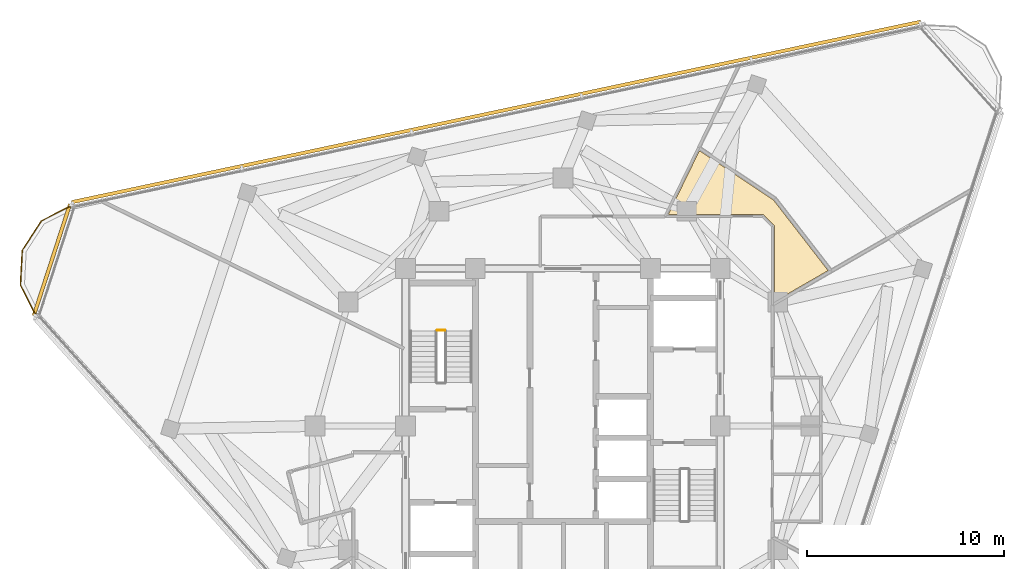
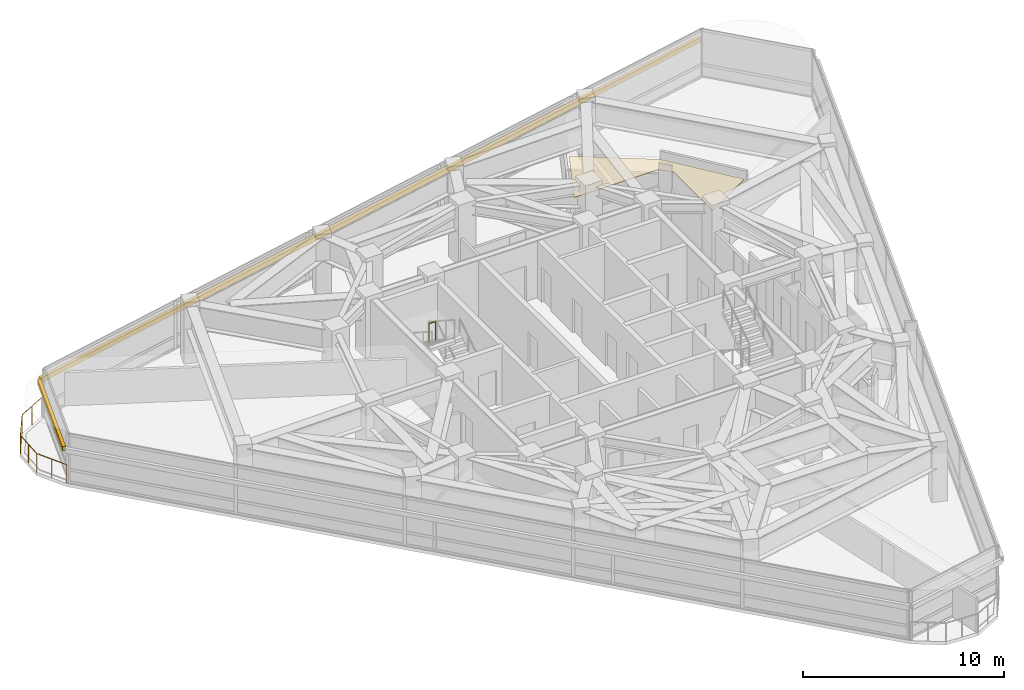
# One storey, part 14 of 15: 2 railings, 2 shading devices, 1 covering.
"""IFC4 building model written with IfcOpenShell, lengths in metres."""

from ifc_helpers import new_model, si_unit, direction, frame, origin, origin_2d, place, context, subcontext, project, spatial, polyline, rectangle, circle, outline, extrude, material, layer, layer_set, type_object, element, save


model = new_model("IFC4")

# Units and contexts
model_context = context("Model", 3, precision=1e-05, world=origin(), true_north=direction((0.0, 1.0)))
body_context = subcontext(model_context, "Body", "Model", "MODEL_VIEW")
ifc_project = project(units=[si_unit("LENGTHUNIT", "METRE"), si_unit("AREAUNIT", "SQUARE_METRE"), si_unit("VOLUMEUNIT", "CUBIC_METRE"), si_unit("PLANEANGLEUNIT", "RADIAN"), si_unit("MASSUNIT", "GRAM", prefix="KILO")], contexts=[model_context])

# Site, building, storey
site_placement = place(None, origin())
site = spatial("IfcSite", under=ifc_project, at=site_placement, CompositionType="ELEMENT")
building_placement = place(site_placement, origin())
building = spatial("IfcBuilding", under=site, at=building_placement, Name="Terralouvre Media Tower", CompositionType="ELEMENT")
storey_placement = place(building_placement, frame((0.0, 0.0, 309.10009765625)))
storey = spatial("IfcBuildingStorey", under=building, at=storey_placement, Name="L80", CompositionType="ELEMENT", Elevation=309.10009765625)

# Covering
ifc_material_1 = material(Name="Perforated aluminium acoustic ceiling baffle", Category="aluminium")
ifc_layer_1 = layer(ifc_material_1, 0.0400390625, Name="Perforated Acoustic Metal Tile Ceiling CL-AC1")
ifc_layer_set_1 = layer_set([ifc_layer_1], Name="Perforated aluminium acoustic ceiling baffle")
covering_type = type_object("IfcCoveringType", Name="Perforated Acoustic Metal Tile Ceiling CL-AC1", PredefinedType="CEILING", material=ifc_layer_set_1)
covering_placement = place(storey_placement, frame((0.0, 0.0, 2.919921875), z_axis=(0.0, 0.0, 1.0), x_axis=(0.309016994375, 0.951056516295, 0.0)))
element("IfcCovering", 1, at=covering_placement, inside=storey, type_object=covering_type, Name="L80 Artist Hospitality Kitchen 8 Acoustic Ceiling", PredefinedType="CEILING", context=body_context, shape_type="SweptSolid", body=[
    extrude(outline(polyline([(14.2275390625, -6.635009765625), (15.457275390625, -2.2734375), (11.87841796875, -1.77001953125), (13.3603515625, -6.331298828125), (13.363037109375, -6.3408203125), (13.364501953125, -6.350341796875), (13.365234375, -6.360107421875), (13.364990234375, -6.3701171875), (13.36376953125, -6.379638671875), (13.361572265625, -6.389404296875), (13.3583984375, -6.398681640625), (13.354248046875, -6.407470703125), (13.033447265625, -7.03759765625), (13.0283203125, -7.046142578125), (13.022705078125, -7.05419921875), (13.016357421875, -7.0615234375), (13.00927734375, -7.068359375), (13.00146484375, -7.07421875), (12.9931640625, -7.07958984375), (12.984375, -7.083740234375), (12.97509765625, -7.08740234375), (9.334716796875, -8.270263671875), (11.677490234375, -10.38037109375), (14.2275390625, -6.635009765625)])), origin(), (0.0, 0.0, 1.0), 0.0400390625),
])

# Railings
ifc_material_2 = material(Name="Stainless steel 316 handrail and balustrade", Category="steel")
ifc_layer_2 = layer(ifc_material_2, 0.06005859375, Name="Roof Edge Safety Guardrail GR-ROOF1")
ifc_layer_set_2 = layer_set([ifc_layer_2], Name="Stainless steel 316 handrail and balustrade")
railing_type_1 = type_object("IfcRailingType", Name="Roof Edge Safety Guardrail GR-ROOF1", PredefinedType="GUARDRAIL", material=ifc_layer_set_2)
railing_1_placement = place(storey_placement, frame((-24.927490234375, 11.230224609375, 0.0)))
element("IfcRailing", 2, at=railing_1_placement, inside=storey, type_object=railing_type_1, Name="L80 Wind-Corner Perimeter Safety Guardrail C2", PredefinedType="GUARDRAIL", context=body_context, shape_type="SweptSolid", body=[
    extrude(circle(Radius=0.02099609375, at=origin_2d()), frame((0.0, 0.0, 1.12890625), z_axis=(-0.891111697267, -0.453784026817, 0.0), x_axis=(0.453784026817, -0.891111697267, 0.0)), (0.0, 0.0, 1.0), 1.7802734375),
    extrude(circle(Radius=0.02099609375, at=origin_2d()), frame((-1.58642578125, -0.807861328125, 1.12890625), z_axis=(-0.544752056661, -0.838597160002, 0.0), x_axis=(0.838597160002, -0.544752056661, 0.0)), (0.0, 0.0, 1.0), 1.77978515625),
    extrude(circle(Radius=0.02099609375, at=origin_2d()), frame((-2.555908203125, -2.30029296875, 1.12890625), z_axis=(-0.052126837836, -0.998640472231, 0.0), x_axis=(0.998640472231, -0.052126837836, 0.0)), (0.0, 0.0, 1.0), 1.77978515625),
    extrude(circle(Radius=0.02099609375, at=origin_2d()), frame((-2.648681640625, -4.07763671875, 1.12890625), z_axis=(0.454221597143, -0.890888736425, 0.0), x_axis=(0.890888736425, 0.454221597143, 0.0)), (0.0, 0.0, 1.0), 1.7802734375),
    extrude(circle(Radius=0.01904296875, at=origin_2d()), origin(), (0.0, 0.0, 1.0), 1.10791015625),
    extrude(circle(Radius=0.01904296875, at=origin_2d()), frame((-0.793212890625, -0.40380859375, 0.0)), (0.0, 0.0, 1.0), 1.10791015625),
    extrude(circle(Radius=0.01904296875, at=origin_2d()), frame((-1.58642578125, -0.807861328125, 0.0)), (0.0, 0.0, 1.0), 1.10791015625),
    extrude(circle(Radius=0.01904296875, at=origin_2d()), frame((-2.0712890625, -1.55419921875, 0.0)), (0.0, 0.0, 1.0), 1.10791015625),
    extrude(circle(Radius=0.01904296875, at=origin_2d()), frame((-2.555908203125, -2.30029296875, 0.0)), (0.0, 0.0, 1.0), 1.10791015625),
    extrude(circle(Radius=0.01904296875, at=origin_2d()), frame((-2.602294921875, -3.18896484375, 0.0)), (0.0, 0.0, 1.0), 1.10791015625),
    extrude(circle(Radius=0.01904296875, at=origin_2d()), frame((-2.648681640625, -4.07763671875, 0.0)), (0.0, 0.0, 1.0), 1.10791015625),
    extrude(circle(Radius=0.01904296875, at=origin_2d()), frame((-2.244384765625, -4.87060546875, 0.0)), (0.0, 0.0, 1.0), 1.10791015625),
    extrude(circle(Radius=0.01904296875, at=origin_2d()), frame((-1.840087890625, -5.66357421875, 0.0)), (0.0, 0.0, 1.0), 1.10791015625),
])
ifc_material_3 = material(Name="Stainless steel 316 handrail and balustrade", Category="steel")
ifc_layer_3 = layer(ifc_material_3, 0.050048828125, Name="Stairwell Safety Guardrail GR-INT1")
ifc_layer_set_3 = layer_set([ifc_layer_3], Name="Stainless steel 316 handrail and balustrade")
railing_type_2 = type_object("IfcRailingType", Name="Stairwell Safety Guardrail GR-INT1", PredefinedType="GUARDRAIL", material=ifc_layer_set_3)
railing_2_placement = place(storey_placement, frame((-6.0, 4.8701171875, 1.849853515625)))
element("IfcRailing", 3, at=railing_2_placement, inside=storey, type_object=railing_type_2, Name="L80 ST-01 stair guard 2", PredefinedType="GUARDRAIL", context=body_context, shape_type="SweptSolid", body=[
    extrude(circle(Radius=0.02392578125, at=origin_2d()), frame((0.0, 0.0, 1.1259765625), z_axis=(-1.0, 0.0, 0.0), x_axis=(0.0, -1.0, 0.0)), (0.0, 0.0, 1.0), 0.3798828125),
    extrude(circle(Radius=0.02099609375, at=origin_2d()), origin(), (0.0, 0.0, 1.0), 1.101806640625),
    extrude(circle(Radius=0.02099609375, at=origin_2d()), frame((-0.3798828125, 0.0, 0.0)), (0.0, 0.0, 1.0), 1.101806640625),
])

# Shading devices
ifc_material_4 = material(Name="Extruded terracotta baguette sunshade louvres", Category="masonry")
shading_device_type = type_object("IfcShadingDeviceType", Name="Terracotta Baguette Sunshade Louvre Screen TB-LV1", PredefinedType="USERDEFINED", material=ifc_material_4)
shading_device_1_placement = place(storey_placement, frame((-3.392333984375, 15.959716796875, 1.98681640625), z_axis=(0.0, 0.0, 1.0), x_axis=(-0.978147616145, -0.207911618313, 0.0)))
element("IfcShadingDevice", 4, at=shading_device_1_placement, inside=storey, type_object=shading_device_type, Name="CW-L80-F1 Terracotta Baguette Sunshade Louvre", ObjectType="BAGUETTE", PredefinedType="USERDEFINED", context=body_context, shape_type="SweptSolid", body=[
    extrude(rectangle(XDim=44.1201171875, YDim=0.179931640625, at=origin_2d()), origin(), (0.0, 0.0, 1.0), 0.280029296875),
])
shading_device_2_placement = place(storey_placement, frame((-25.975830078125, 8.440185546875, 1.98681640625), z_axis=(0.0, 0.0, 1.0), x_axis=(-0.30901654693, -0.951056661679, 0.0)))
element("IfcShadingDevice", 5, at=shading_device_2_placement, inside=storey, type_object=shading_device_type, Name="CW-L80-C2 Terracotta Baguette Sunshade Louvre", ObjectType="BAGUETTE", PredefinedType="USERDEFINED", context=body_context, shape_type="SweptSolid", body=[
    extrude(rectangle(XDim=5.958251953125, YDim=0.179931640625, at=origin_2d()), origin(), (0.0, 0.0, 1.0), 0.280029296875),
])

save(model, "model.ifc")
